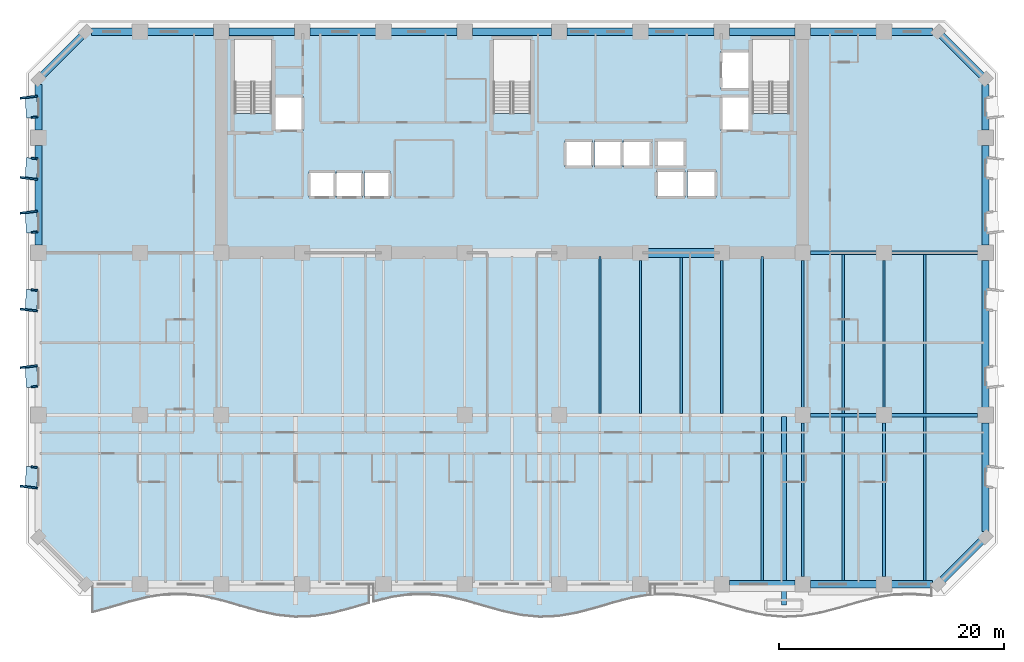
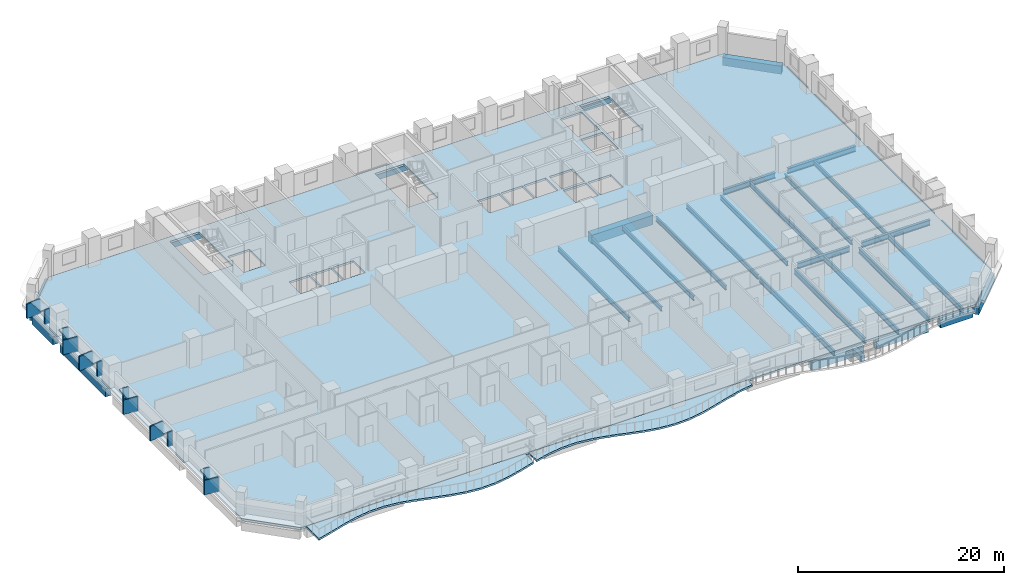
# One storey, part 2 of 15: 43 beams, 18 plates, 3 slabs.
"""IFC4 building model written with IfcOpenShell, lengths in metres."""

from ifc_helpers import new_model, si_unit, direction, frame, origin, origin_2d, place, context, subcontext, project, spatial, polyline, rectangle, i_section, outline, extrude, material, layer, layer_set, material_profile, profile_set, type_object, element, save


model = new_model("IFC4")

# Units and contexts
model_context = context("Model", 3, precision=1e-05, world=origin(), true_north=direction((0.0, 1.0)))
body_context = subcontext(model_context, "Body", "Model", "MODEL_VIEW")
ifc_project = project(units=[si_unit("LENGTHUNIT", "METRE"), si_unit("AREAUNIT", "SQUARE_METRE"), si_unit("VOLUMEUNIT", "CUBIC_METRE"), si_unit("PLANEANGLEUNIT", "RADIAN"), si_unit("MASSUNIT", "GRAM", prefix="KILO")], contexts=[model_context])

# Site, building, storey
site_placement = place(None, origin())
site = spatial("IfcSite", under=ifc_project, at=site_placement, CompositionType="ELEMENT")
building_placement = place(site_placement, origin())
building = spatial("IfcBuilding", under=site, at=building_placement, Name="Kaelvorn Grand Hotel", CompositionType="ELEMENT")
storey_placement = place(building_placement, frame((0.0, 0.0, 50.14990234375)))
storey = spatial("IfcBuildingStorey", under=building, at=storey_placement, Name="L10", CompositionType="ELEMENT", Elevation=50.14990234375)

# Beams
ifc_material_1 = material(Name="Steel S355", Category="steel")
ifc_material_profile_1 = material_profile(ifc_material_1, i_section(OverallWidth=0.300048828125, OverallDepth=0.64990234375, WebThickness=0.01611328125, FlangeThickness=0.031005859375, FilletRadius=0.027099609375, at=origin_2d()), Name="HEB 650")
ifc_profile_set_1 = profile_set([ifc_material_profile_1], Name="Steel S355")
beam_type_1 = type_object("IfcBeamType", Name="BM-G-HEB650-S355", PredefinedType="BEAM", material=ifc_profile_set_1)
beam_1_placement = place(storey_placement, frame((68.485107421875, 15.0, -0.56494140625), z_axis=(1.0, 0.0, 0.0), x_axis=(0.0, 1.0, 0.0)))
element("IfcBeam", 1, at=beam_1_placement, inside=storey, type_object=beam_type_1, Name="L10 Primary Spine Steel Girder G-15 06", PredefinedType="BEAM", context=body_context, shape_type="SweptSolid", body=[
    extrude(i_section(OverallWidth=0.300048828125, OverallDepth=0.64990234375, WebThickness=0.01611328125, FlangeThickness=0.031005859375, FilletRadius=0.027099609375, at=origin_2d()), origin(), (0.0, 0.0, 1.0), 5.829833984375),
])
beam_2_placement = place(storey_placement, frame((75.68505859375, 15.0, -0.56494140625), z_axis=(1.0, 0.0, 0.0), x_axis=(0.0, 1.0, 0.0)))
element("IfcBeam", 2, at=beam_2_placement, inside=storey, type_object=beam_type_1, Name="L10 Primary Spine Steel Girder G-15 07", PredefinedType="BEAM", context=body_context, shape_type="SweptSolid", body=[
    extrude(i_section(OverallWidth=0.300048828125, OverallDepth=0.64990234375, WebThickness=0.01611328125, FlangeThickness=0.031005859375, FilletRadius=0.027099609375, at=origin_2d()), origin(), (0.0, 0.0, 1.0), 7.6298828125),
])
beam_3_placement = place(storey_placement, frame((68.485107421875, 29.39990234375, -0.56494140625), z_axis=(1.0, 0.0, 0.0), x_axis=(0.0, 1.0, 0.0)))
element("IfcBeam", 3, at=beam_3_placement, inside=storey, type_object=beam_type_1, Name="L10 East Core Wing Steel Girder G-29E 01", PredefinedType="BEAM", context=body_context, shape_type="SweptSolid", body=[
    extrude(i_section(OverallWidth=0.300048828125, OverallDepth=0.64990234375, WebThickness=0.01611328125, FlangeThickness=0.031005859375, FilletRadius=0.027099609375, at=origin_2d()), origin(), (0.0, 0.0, 1.0), 5.829833984375),
])
beam_4_placement = place(storey_placement, frame((75.68505859375, 29.39990234375, -0.56494140625), z_axis=(1.0, 0.0, 0.0), x_axis=(0.0, 1.0, 0.0)))
element("IfcBeam", 4, at=beam_4_placement, inside=storey, type_object=beam_type_1, Name="L10 East Core Wing Steel Girder G-29E 02", PredefinedType="BEAM", context=body_context, shape_type="SweptSolid", body=[
    extrude(i_section(OverallWidth=0.300048828125, OverallDepth=0.64990234375, WebThickness=0.01611328125, FlangeThickness=0.031005859375, FilletRadius=0.027099609375, at=origin_2d()), origin(), (0.0, 0.0, 1.0), 7.6298828125),
])
ifc_material_profile_2 = material_profile(ifc_material_1, i_section(OverallWidth=0.209228515625, OverallDepth=0.533203125, WebThickness=0.010009765625, FlangeThickness=0.015625, FilletRadius=0.0126953125, at=origin_2d()), Name="UB 533x210x92")
ifc_profile_set_2 = profile_set([ifc_material_profile_2], Name="Steel S355")
beam_type_2 = type_object("IfcBeamType", Name="BM-J-UB533-S355", PredefinedType="JOIST", material=ifc_profile_set_2)
beam_5_placement = place(storey_placement, frame((49.800048828125, 15.135009765625, -0.50634765625), z_axis=(0.0, 1.0, 0.0), x_axis=(-1.0, 0.0, 0.0)))
element("IfcBeam", 5, at=beam_5_placement, inside=storey, type_object=beam_type_2, Name="L10 Composite Floor Joist JM-14", PredefinedType="JOIST", context=body_context, shape_type="SweptSolid", body=[
    extrude(i_section(OverallWidth=0.209228515625, OverallDepth=0.533203125, WebThickness=0.010009765625, FlangeThickness=0.015625, FilletRadius=0.0126953125, at=origin_2d()), origin(), (0.0, 0.0, 1.0), 13.925048828125),
])
beam_6_placement = place(storey_placement, frame((53.39990234375, 15.135009765625, -0.50634765625), z_axis=(0.0, 1.0, 0.0), x_axis=(-1.0, 0.0, 0.0)))
element("IfcBeam", 6, at=beam_6_placement, inside=storey, type_object=beam_type_2, Name="L10 Composite Floor Joist JM-15", PredefinedType="JOIST", context=body_context, shape_type="SweptSolid", body=[
    extrude(i_section(OverallWidth=0.209228515625, OverallDepth=0.533203125, WebThickness=0.010009765625, FlangeThickness=0.015625, FilletRadius=0.0126953125, at=origin_2d()), origin(), (0.0, 0.0, 1.0), 13.580078125),
])
beam_7_placement = place(storey_placement, frame((57.0, 15.135009765625, -0.50634765625), z_axis=(0.0, 1.0, 0.0), x_axis=(-1.0, 0.0, 0.0)))
element("IfcBeam", 7, at=beam_7_placement, inside=storey, type_object=beam_type_2, Name="L10 Composite Floor Joist JM-16", PredefinedType="JOIST", context=body_context, shape_type="SweptSolid", body=[
    extrude(i_section(OverallWidth=0.209228515625, OverallDepth=0.533203125, WebThickness=0.010009765625, FlangeThickness=0.015625, FilletRadius=0.0126953125, at=origin_2d()), origin(), (0.0, 0.0, 1.0), 13.925048828125),
])
beam_8_placement = place(storey_placement, frame((60.60009765625, 15.135009765625, -0.50634765625), z_axis=(0.0, 1.0, 0.0), x_axis=(-1.0, 0.0, 0.0)))
element("IfcBeam", 8, at=beam_8_placement, inside=storey, type_object=beam_type_2, Name="L10 Composite Floor Joist JM-17", PredefinedType="JOIST", context=body_context, shape_type="SweptSolid", body=[
    extrude(i_section(OverallWidth=0.209228515625, OverallDepth=0.533203125, WebThickness=0.010009765625, FlangeThickness=0.015625, FilletRadius=0.0126953125, at=origin_2d()), origin(), (0.0, 0.0, 1.0), 13.580078125),
])
beam_9_placement = place(storey_placement, frame((64.199951171875, 15.135009765625, -0.50634765625), z_axis=(0.0, 1.0, 0.0), x_axis=(-1.0, 0.0, 0.0)))
element("IfcBeam", 9, at=beam_9_placement, inside=storey, type_object=beam_type_2, Name="L10 Composite Floor Joist JM-18", PredefinedType="JOIST", context=body_context, shape_type="SweptSolid", body=[
    extrude(i_section(OverallWidth=0.209228515625, OverallDepth=0.533203125, WebThickness=0.010009765625, FlangeThickness=0.015625, FilletRadius=0.0126953125, at=origin_2d()), origin(), (0.0, 0.0, 1.0), 13.925048828125),
])
beam_10_placement = place(storey_placement, frame((67.800048828125, 15.68505859375, -0.50634765625), z_axis=(0.0, 1.0, 0.0), x_axis=(-1.0, 0.0, 0.0)))
element("IfcBeam", 10, at=beam_10_placement, inside=storey, type_object=beam_type_2, Name="L10 Composite Floor Joist JM-19", PredefinedType="JOIST", context=body_context, shape_type="SweptSolid", body=[
    extrude(i_section(OverallWidth=0.209228515625, OverallDepth=0.533203125, WebThickness=0.010009765625, FlangeThickness=0.015625, FilletRadius=0.0126953125, at=origin_2d()), origin(), (0.0, 0.0, 1.0), 13.030029296875),
])
beam_11_placement = place(storey_placement, frame((71.39990234375, 15.135009765625, -0.50634765625), z_axis=(0.0, 1.0, 0.0), x_axis=(-1.0, 0.0, 0.0)))
element("IfcBeam", 11, at=beam_11_placement, inside=storey, type_object=beam_type_2, Name="L10 Composite Floor Joist JM-20", PredefinedType="JOIST", context=body_context, shape_type="SweptSolid", body=[
    extrude(i_section(OverallWidth=0.209228515625, OverallDepth=0.533203125, WebThickness=0.010009765625, FlangeThickness=0.015625, FilletRadius=0.0126953125, at=origin_2d()), origin(), (0.0, 0.0, 1.0), 14.1298828125),
])
beam_12_placement = place(storey_placement, frame((75.0, 15.68505859375, -0.50634765625), z_axis=(0.0, 1.0, 0.0), x_axis=(-1.0, 0.0, 0.0)))
element("IfcBeam", 12, at=beam_12_placement, inside=storey, type_object=beam_type_2, Name="L10 Composite Floor Joist JM-21", PredefinedType="JOIST", context=body_context, shape_type="SweptSolid", body=[
    extrude(i_section(OverallWidth=0.209228515625, OverallDepth=0.533203125, WebThickness=0.010009765625, FlangeThickness=0.015625, FilletRadius=0.0126953125, at=origin_2d()), origin(), (0.0, 0.0, 1.0), 13.030029296875),
])
beam_13_placement = place(storey_placement, frame((78.60009765625, 15.135009765625, -0.50634765625), z_axis=(0.0, 1.0, 0.0), x_axis=(-1.0, 0.0, 0.0)))
element("IfcBeam", 13, at=beam_13_placement, inside=storey, type_object=beam_type_2, Name="L10 Composite Floor Joist JM-22", PredefinedType="JOIST", context=body_context, shape_type="SweptSolid", body=[
    extrude(i_section(OverallWidth=0.209228515625, OverallDepth=0.533203125, WebThickness=0.010009765625, FlangeThickness=0.015625, FilletRadius=0.0126953125, at=origin_2d()), origin(), (0.0, 0.0, 1.0), 14.1298828125),
])
ifc_material_profile_3 = material_profile(ifc_material_1, i_section(OverallWidth=0.22900390625, OverallDepth=0.6123046875, WebThickness=0.011962890625, FlangeThickness=0.01953125, FilletRadius=0.0126953125, at=origin_2d()), Name="UB 610x229x125")
ifc_profile_set_3 = profile_set([ifc_material_profile_3], Name="Steel S355")
beam_type_3 = type_object("IfcBeamType", Name="BM-J-UB610-S355", PredefinedType="JOIST", material=ifc_profile_set_3)
beam_14_placement = place(storey_placement, frame((64.199951171875, 0.31005859375, -0.5458984375), z_axis=(0.0, 1.0, 0.0), x_axis=(-1.0, 0.0, 0.0)))
element("IfcBeam", 14, at=beam_14_placement, inside=storey, type_object=beam_type_3, Name="L10 Composite Floor Joist JS-18", PredefinedType="JOIST", context=body_context, shape_type="SweptSolid", body=[
    extrude(i_section(OverallWidth=0.22900390625, OverallDepth=0.6123046875, WebThickness=0.011962890625, FlangeThickness=0.01953125, FilletRadius=0.0126953125, at=origin_2d()), origin(), (0.0, 0.0, 1.0), 14.554931640625),
])
beam_15_placement = place(storey_placement, frame((67.800048828125, 0.68505859375, -0.5458984375), z_axis=(0.0, 1.0, 0.0), x_axis=(-1.0, 0.0, 0.0)))
element("IfcBeam", 15, at=beam_15_placement, inside=storey, type_object=beam_type_3, Name="L10 Composite Floor Joist JS-19", PredefinedType="JOIST", context=body_context, shape_type="SweptSolid", body=[
    extrude(i_section(OverallWidth=0.22900390625, OverallDepth=0.6123046875, WebThickness=0.011962890625, FlangeThickness=0.01953125, FilletRadius=0.0126953125, at=origin_2d()), origin(), (0.0, 0.0, 1.0), 13.6298828125),
])
beam_16_placement = place(storey_placement, frame((71.39990234375, 0.31005859375, -0.5458984375), z_axis=(0.0, 1.0, 0.0), x_axis=(-1.0, 0.0, 0.0)))
element("IfcBeam", 16, at=beam_16_placement, inside=storey, type_object=beam_type_3, Name="L10 Composite Floor Joist JS-20", PredefinedType="JOIST", context=body_context, shape_type="SweptSolid", body=[
    extrude(i_section(OverallWidth=0.22900390625, OverallDepth=0.6123046875, WebThickness=0.011962890625, FlangeThickness=0.01953125, FilletRadius=0.0126953125, at=origin_2d()), origin(), (0.0, 0.0, 1.0), 14.554931640625),
])
beam_17_placement = place(storey_placement, frame((75.0, 0.68505859375, -0.5458984375), z_axis=(0.0, 1.0, 0.0), x_axis=(-1.0, 0.0, 0.0)))
element("IfcBeam", 17, at=beam_17_placement, inside=storey, type_object=beam_type_3, Name="L10 Composite Floor Joist JS-21", PredefinedType="JOIST", context=body_context, shape_type="SweptSolid", body=[
    extrude(i_section(OverallWidth=0.22900390625, OverallDepth=0.6123046875, WebThickness=0.011962890625, FlangeThickness=0.01953125, FilletRadius=0.0126953125, at=origin_2d()), origin(), (0.0, 0.0, 1.0), 13.6298828125),
])
beam_18_placement = place(storey_placement, frame((78.60009765625, 0.31005859375, -0.5458984375), z_axis=(0.0, 1.0, 0.0), x_axis=(-1.0, 0.0, 0.0)))
element("IfcBeam", 18, at=beam_18_placement, inside=storey, type_object=beam_type_3, Name="L10 Composite Floor Joist JS-22", PredefinedType="JOIST", context=body_context, shape_type="SweptSolid", body=[
    extrude(i_section(OverallWidth=0.22900390625, OverallDepth=0.6123046875, WebThickness=0.011962890625, FlangeThickness=0.01953125, FilletRadius=0.0126953125, at=origin_2d()), origin(), (0.0, 0.0, 1.0), 14.554931640625),
])
ifc_material_2 = material(Name="Concrete C60/75", Category="concrete")
ifc_material_profile_4 = material_profile(ifc_material_2, rectangle(XDim=0.800048828125, YDim=1.10009765625, at=origin_2d()), Name="RC LINTEL 800x1100")
ifc_profile_set_4 = profile_set([ifc_material_profile_4], Name="Concrete C60/75")
beam_type_4 = type_object("IfcBeamType", Name="BM-LIN-800x1100-C60", PredefinedType="LINTEL", material=ifc_profile_set_4)
beam_19_placement = place(storey_placement, frame((53.580078125, 29.39990234375, -0.789794921875), z_axis=(1.0, 0.0, 0.0), x_axis=(0.0, 1.0, 0.0)))
element("IfcBeam", 19, at=beam_19_placement, inside=storey, type_object=beam_type_4, Name="L10 Rear-Core Coupling Lintel Beam CB1-03", PredefinedType="LINTEL", context=body_context, shape_type="SweptSolid", body=[
    extrude(rectangle(XDim=0.800048828125, YDim=1.10009765625, at=origin_2d()), origin(), (0.0, 0.0, 1.0), 6.83984375),
])
ifc_material_3 = material(Name="Concrete C40/50", Category="concrete")
ifc_material_profile_5 = material_profile(ifc_material_3, rectangle(XDim=0.449951171875, YDim=0.64990234375, at=origin_2d()), Name="RC RIB 450x650")
ifc_profile_set_5 = profile_set([ifc_material_profile_5], Name="Concrete C40/50")
beam_type_5 = type_object("IfcBeamType", Name="BM-RIB-450x650-C40", PredefinedType="SPANDREL", material=ifc_profile_set_5)
beam_20_placement = place(storey_placement, frame((66.115478515625, -1.85009765625, -0.544921875), z_axis=(0.0, 1.0, 0.0), x_axis=(-1.0, 0.0, 0.0)))
element("IfcBeam", 20, at=beam_20_placement, inside=storey, type_object=beam_type_5, Name="L10 Cantilevered Balcony Back-Span Rib RB1-3", PredefinedType="SPANDREL", context=body_context, shape_type="SweptSolid", body=[
    extrude(rectangle(XDim=0.449951171875, YDim=0.64990234375, at=origin_2d()), origin(), (0.0, 0.0, 1.0), 16.715087890625),
])
ifc_material_profile_6 = material_profile(ifc_material_2, rectangle(XDim=0.64990234375, YDim=0.949951171875, at=origin_2d()), Name="RC SPANDREL 650x950")
ifc_profile_set_6 = profile_set([ifc_material_profile_6], Name="Concrete C60/75")
beam_type_6 = type_object("IfcBeamType", Name="BM-SP-650x950-C60", PredefinedType="SPANDREL", material=ifc_profile_set_6)
beam_21_placement = place(storey_placement, frame((61.284912109375, 0.0, -0.71484375), z_axis=(1.0, 0.0, 0.0), x_axis=(0.0, 1.0, 0.0)))
element("IfcBeam", 21, at=beam_21_placement, inside=storey, type_object=beam_type_6, Name="L10 South Perimeter Spandrel 09", PredefinedType="SPANDREL", context=body_context, shape_type="SweptSolid", body=[
    extrude(rectangle(XDim=0.64990234375, YDim=0.949951171875, at=origin_2d()), origin(), (0.0, 0.0, 1.0), 5.830078125),
])
beam_22_placement = place(storey_placement, frame((68.485107421875, 0.0, -0.71484375), z_axis=(1.0, 0.0, 0.0), x_axis=(0.0, 1.0, 0.0)))
element("IfcBeam", 22, at=beam_22_placement, inside=storey, type_object=beam_type_6, Name="L10 South Perimeter Spandrel 10", PredefinedType="SPANDREL", context=body_context, shape_type="SweptSolid", body=[
    extrude(rectangle(XDim=0.64990234375, YDim=0.949951171875, at=origin_2d()), origin(), (0.0, 0.0, 1.0), 5.829833984375),
])
for number, where, z_axis, x_axis, name in (
    (23, (75.68505859375, 0.0, -0.71484375), (1.0, 0.0, 0.0), (0.0, 1.0, 0.0), "L10 South Perimeter Spandrel 11"),
    (24, (4.68505859375, 49.0, -0.71484375), (1.0, 0.0, 0.0), (0.0, 1.0, 0.0), "L10 North Perimeter Spandrel 01"),
):
    element("IfcBeam", number, at=place(storey_placement, frame(where, z_axis=z_axis, x_axis=x_axis)), inside=storey, type_object=beam_type_6, Name=name, PredefinedType="SPANDREL", context=body_context, shape_type="SweptSolid", body=[
        extrude(rectangle(XDim=0.64990234375, YDim=0.949951171875, at=origin_2d()), origin(), (0.0, 0.0, 1.0), 3.6298828125),
    ])
beam_23_placement = place(storey_placement, frame((9.68505859375, 49.0, -0.71484375), z_axis=(1.0, 0.0, 0.0), x_axis=(0.0, 1.0, 0.0)))
element("IfcBeam", 25, at=beam_23_placement, inside=storey, type_object=beam_type_6, Name="L10 North Perimeter Spandrel 02", PredefinedType="SPANDREL", context=body_context, shape_type="SweptSolid", body=[
    extrude(rectangle(XDim=0.64990234375, YDim=0.949951171875, at=origin_2d()), origin(), (0.0, 0.0, 1.0), 5.829833984375),
])
for number, where, z_axis, x_axis, name in (
    (26, (16.885009765625, 49.0, -0.71484375), (1.0, 0.0, 0.0), (0.0, 1.0, 0.0), "L10 North Perimeter Spandrel 03"),
    (27, (24.0849609375, 49.0, -0.71484375), (1.0, 0.0, 0.0), (0.0, 1.0, 0.0), "L10 North Perimeter Spandrel 04"),
    (28, (31.284912109375, 49.0, -0.71484375), (1.0, 0.0, 0.0), (0.0, 1.0, 0.0), "L10 North Perimeter Spandrel 05"),
):
    element("IfcBeam", number, at=place(storey_placement, frame(where, z_axis=z_axis, x_axis=x_axis)), inside=storey, type_object=beam_type_6, Name=name, PredefinedType="SPANDREL", context=body_context, shape_type="SweptSolid", body=[
        extrude(rectangle(XDim=0.64990234375, YDim=0.949951171875, at=origin_2d()), origin(), (0.0, 0.0, 1.0), 5.830078125),
    ])
beam_24_placement = place(storey_placement, frame((38.485107421875, 49.0, -0.71484375), z_axis=(1.0, 0.0, 0.0), x_axis=(0.0, 1.0, 0.0)))
element("IfcBeam", 29, at=beam_24_placement, inside=storey, type_object=beam_type_6, Name="L10 North Perimeter Spandrel 06", PredefinedType="SPANDREL", context=body_context, shape_type="SweptSolid", body=[
    extrude(rectangle(XDim=0.64990234375, YDim=0.949951171875, at=origin_2d()), origin(), (0.0, 0.0, 1.0), 7.02978515625),
])
for number, where, z_axis, x_axis, name in (
    (30, (46.885009765625, 49.0, -0.71484375), (1.0, 0.0, 0.0), (0.0, 1.0, 0.0), "L10 North Perimeter Spandrel 07"),
    (31, (54.0849609375, 49.0, -0.71484375), (1.0, 0.0, 0.0), (0.0, 1.0, 0.0), "L10 North Perimeter Spandrel 08"),
    (32, (61.284912109375, 49.0, -0.71484375), (1.0, 0.0, 0.0), (0.0, 1.0, 0.0), "L10 North Perimeter Spandrel 09"),
):
    element("IfcBeam", number, at=place(storey_placement, frame(where, z_axis=z_axis, x_axis=x_axis)), inside=storey, type_object=beam_type_6, Name=name, PredefinedType="SPANDREL", context=body_context, shape_type="SweptSolid", body=[
        extrude(rectangle(XDim=0.64990234375, YDim=0.949951171875, at=origin_2d()), origin(), (0.0, 0.0, 1.0), 5.830078125),
    ])
beam_25_placement = place(storey_placement, frame((68.485107421875, 49.0, -0.71484375), z_axis=(1.0, 0.0, 0.0), x_axis=(0.0, 1.0, 0.0)))
element("IfcBeam", 33, at=beam_25_placement, inside=storey, type_object=beam_type_6, Name="L10 North Perimeter Spandrel 10", PredefinedType="SPANDREL", context=body_context, shape_type="SweptSolid", body=[
    extrude(rectangle(XDim=0.64990234375, YDim=0.949951171875, at=origin_2d()), origin(), (0.0, 0.0, 1.0), 5.829833984375),
])
beam_26_placement = place(storey_placement, frame((75.68505859375, 49.0, -0.71484375), z_axis=(1.0, 0.0, 0.0), x_axis=(0.0, 1.0, 0.0)))
element("IfcBeam", 34, at=beam_26_placement, inside=storey, type_object=beam_type_6, Name="L10 North Perimeter Spandrel 11", PredefinedType="SPANDREL", context=body_context, shape_type="SweptSolid", body=[
    extrude(rectangle(XDim=0.64990234375, YDim=0.949951171875, at=origin_2d()), origin(), (0.0, 0.0, 1.0), 3.6298828125),
])
beam_27_placement = place(storey_placement, frame((0.0, 30.0849609375, -0.71484375), z_axis=(0.0, 1.0, 0.0), x_axis=(-1.0, 0.0, 0.0)))
element("IfcBeam", 35, at=beam_27_placement, inside=storey, type_object=beam_type_6, Name="L10 West Perimeter Spandrel 03", PredefinedType="SPANDREL", context=body_context, shape_type="SweptSolid", body=[
    extrude(rectangle(XDim=0.64990234375, YDim=0.949951171875, at=origin_2d()), origin(), (0.0, 0.0, 1.0), 8.830078125),
])
beam_28_placement = place(storey_placement, frame((0.0, 40.284912109375, -0.71484375), z_axis=(0.0, 1.0, 0.0), x_axis=(-1.0, 0.0, 0.0)))
element("IfcBeam", 36, at=beam_28_placement, inside=storey, type_object=beam_type_6, Name="L10 West Perimeter Spandrel 04", PredefinedType="SPANDREL", context=body_context, shape_type="SweptSolid", body=[
    extrude(rectangle(XDim=0.64990234375, YDim=0.949951171875, at=origin_2d()), origin(), (0.0, 0.0, 1.0), 4.030029296875),
])
beam_29_placement = place(storey_placement, frame((84.0, 4.68505859375, -0.71484375), z_axis=(0.0, 1.0, 0.0), x_axis=(-1.0, 0.0, 0.0)))
element("IfcBeam", 37, at=beam_29_placement, inside=storey, type_object=beam_type_6, Name="L10 East Perimeter Spandrel 01", PredefinedType="SPANDREL", context=body_context, shape_type="SweptSolid", body=[
    extrude(rectangle(XDim=0.64990234375, YDim=0.949951171875, at=origin_2d()), origin(), (0.0, 0.0, 1.0), 9.6298828125),
])
beam_30_placement = place(storey_placement, frame((84.0, 15.68505859375, -0.71484375), z_axis=(0.0, 1.0, 0.0), x_axis=(-1.0, 0.0, 0.0)))
element("IfcBeam", 38, at=beam_30_placement, inside=storey, type_object=beam_type_6, Name="L10 East Perimeter Spandrel 02", PredefinedType="SPANDREL", context=body_context, shape_type="SweptSolid", body=[
    extrude(rectangle(XDim=0.64990234375, YDim=0.949951171875, at=origin_2d()), origin(), (0.0, 0.0, 1.0), 13.030029296875),
])
beam_31_placement = place(storey_placement, frame((84.0, 30.0849609375, -0.71484375), z_axis=(0.0, 1.0, 0.0), x_axis=(-1.0, 0.0, 0.0)))
element("IfcBeam", 39, at=beam_31_placement, inside=storey, type_object=beam_type_6, Name="L10 East Perimeter Spandrel 03", PredefinedType="SPANDREL", context=body_context, shape_type="SweptSolid", body=[
    extrude(rectangle(XDim=0.64990234375, YDim=0.949951171875, at=origin_2d()), origin(), (0.0, 0.0, 1.0), 8.830078125),
])
beam_32_placement = place(storey_placement, frame((84.0, 40.284912109375, -0.71484375), z_axis=(0.0, 1.0, 0.0), x_axis=(-1.0, 0.0, 0.0)))
element("IfcBeam", 40, at=beam_32_placement, inside=storey, type_object=beam_type_6, Name="L10 East Perimeter Spandrel 04", PredefinedType="SPANDREL", context=body_context, shape_type="SweptSolid", body=[
    extrude(rectangle(XDim=0.64990234375, YDim=0.949951171875, at=origin_2d()), origin(), (0.0, 0.0, 1.0), 4.030029296875),
])
for number, where, z_axis, x_axis, name in (
    (41, (79.800048828125, 0.0, -0.71484375), (0.707106781187, 0.707106781187, 0.0), (-0.707106781187, 0.707106781187, 0.0), "L10 Chamfer Spandrel Beam 1"),
    (42, (84.0, 44.800048828125, -0.71484375), (-0.707106781187, 0.707106781187, 0.0), (-0.707106781187, -0.707106781187, 0.0), "L10 Chamfer Spandrel Beam 2"),
    (43, (4.199951171875, 49.0, -0.71484375), (-0.707106781187, -0.707106781187, 0.0), (0.707106781187, -0.707106781187, 0.0), "L10 Chamfer Spandrel Beam 3"),
):
    element("IfcBeam", number, at=place(storey_placement, frame(where, z_axis=z_axis, x_axis=x_axis)), inside=storey, type_object=beam_type_6, Name=name, PredefinedType="SPANDREL", context=body_context, shape_type="SweptSolid", body=[
        extrude(rectangle(XDim=0.64990234375, YDim=0.949951171875, at=origin_2d()), origin(), (0.0, 0.0, 1.0), 5.939697265625),
    ])

# Plates
ifc_material_4 = material(Name="Precast concrete C45/55", Category="concrete")
ifc_layer_1 = layer(ifc_material_4, 0.159912109375)
ifc_layer_set_1 = layer_set([ifc_layer_1], Name="Precast concrete C45/55")
plate_type_1 = type_object("IfcPlateType", Name="PL-FRAME-DEEP-1550", PredefinedType="USERDEFINED", material=ifc_layer_set_1)
for number, where, z_axis, x_axis, name in (
    (44, (-0.864990234375, 8.610107421875, 0.68994140625), (0.0, 0.0, 1.0), (0.121869343405, 0.992546151641, 0.0), "L10 Tilted Precast Window Frame Fin L-W01"),
    (45, (-0.864990234375, 19.300048828125, 0.68994140625), (0.0, 0.0, 1.0), (-0.121869343405, 0.992546151641, 0.0), "L10 Tilted Precast Window Frame Fin R-W02"),
    (46, (-0.864990234375, 24.320068359375, 0.68994140625), (0.0, 0.0, 1.0), (0.121869343405, 0.992546151641, 0.0), "L10 Tilted Precast Window Frame Fin L-W03"),
    (47, (-0.864990234375, 33.0048828125, 0.68994140625), (0.0, 0.0, 1.0), (-0.121869343405, 0.992546151641, 0.0), "L10 Tilted Precast Window Frame Fin R-W04"),
    (48, (-0.864990234375, 35.9951171875, 0.68994140625), (0.0, 0.0, 1.0), (0.121869343405, 0.992546151641, 0.0), "L10 Tilted Precast Window Frame Fin L-W05"),
    (49, (-0.864990234375, 43.205078125, 0.68994140625), (0.0, 0.0, 1.0), (-0.121869343405, 0.992546151641, 0.0), "L10 Tilted Precast Window Frame Fin R-W06"),
):
    element("IfcPlate", number, at=place(storey_placement, frame(where, z_axis=z_axis, x_axis=x_axis)), inside=storey, type_object=plate_type_1, Name=name, ObjectType="FLANGE_PLATE", PredefinedType="USERDEFINED", context=body_context, shape_type="SweptSolid", body=[
        extrude(rectangle(XDim=0.159912109375, YDim=1.550048828125, at=origin_2d()), origin(), (0.0, 0.0, 1.0), 1.719970703125),
    ])
ifc_layer_2 = layer(ifc_material_4, 0.159912109375)
ifc_layer_set_2 = layer_set([ifc_layer_2], Name="Precast concrete C45/55")
plate_type_2 = type_object("IfcPlateType", Name="PL-FRAME-HEAD-1050", PredefinedType="USERDEFINED", material=ifc_layer_set_2)
for number, where, z_axis, x_axis, name in (
    (50, (-0.614990234375, 9.5, 2.25), (0.0, 0.0, 1.0), (0.054950179912, 0.998489097451, 0.0), "L10 Precast Window Frame Head Hood H-W01"),
    (51, (-0.614990234375, 18.409912109375, 2.25), (0.0, 0.0, 1.0), (-0.054950179912, 0.998489097451, 0.0), "L10 Precast Window Frame Head Hood H-W02"),
    (52, (-0.614990234375, 25.2099609375, 2.25), (0.0, 0.0, 1.0), (0.054950179912, 0.998489097451, 0.0), "L10 Precast Window Frame Head Hood H-W03"),
    (53, (-0.614990234375, 32.114990234375, 2.25), (0.0, 0.0, 1.0), (-0.054950179912, 0.998489097451, 0.0), "L10 Precast Window Frame Head Hood H-W04"),
    (54, (-0.614990234375, 36.885009765625, 2.25), (0.0, 0.0, 1.0), (0.054950179912, 0.998489097451, 0.0), "L10 Precast Window Frame Head Hood H-W05"),
    (55, (-0.614990234375, 42.31494140625, 2.25), (0.0, 0.0, 1.0), (-0.054950179912, 0.998489097451, 0.0), "L10 Precast Window Frame Head Hood H-W06"),
):
    element("IfcPlate", number, at=place(storey_placement, frame(where, z_axis=z_axis, x_axis=x_axis)), inside=storey, type_object=plate_type_2, Name=name, ObjectType="FLANGE_PLATE", PredefinedType="USERDEFINED", context=body_context, shape_type="SweptSolid", body=[
        extrude(rectangle(XDim=1.860107421875, YDim=1.050048828125, at=origin_2d()), origin(), (0.0, 0.0, 1.0), 0.159912109375),
    ])
ifc_layer_3 = layer(ifc_material_4, 0.159912109375)
ifc_layer_set_3 = layer_set([ifc_layer_3], Name="Precast concrete C45/55")
plate_type_3 = type_object("IfcPlateType", Name="PL-FRAME-SHAL-550", PredefinedType="USERDEFINED", material=ifc_layer_set_3)
for number, where, z_axis, x_axis, name in (
    (56, (-0.364990234375, 10.389892578125, 0.68994140625), (0.0, 0.0, 1.0), (0.121869343405, 0.992546151641, 0.0), "L10 Tilted Precast Window Frame Fin R-W01"),
    (57, (-0.364990234375, 17.52001953125, 0.68994140625), (0.0, 0.0, 1.0), (-0.121869343405, 0.992546151641, 0.0), "L10 Tilted Precast Window Frame Fin L-W02"),
    (58, (-0.364990234375, 26.10009765625, 0.68994140625), (0.0, 0.0, 1.0), (0.121869343405, 0.992546151641, 0.0), "L10 Tilted Precast Window Frame Fin R-W03"),
    (59, (-0.364990234375, 31.22509765625, 0.68994140625), (0.0, 0.0, 1.0), (-0.121869343405, 0.992546151641, 0.0), "L10 Tilted Precast Window Frame Fin L-W04"),
    (60, (-0.364990234375, 37.77490234375, 0.68994140625), (0.0, 0.0, 1.0), (0.121869343405, 0.992546151641, 0.0), "L10 Tilted Precast Window Frame Fin R-W05"),
    (61, (-0.364990234375, 41.425048828125, 0.68994140625), (0.0, 0.0, 1.0), (-0.121869343405, 0.992546151641, 0.0), "L10 Tilted Precast Window Frame Fin L-W06"),
):
    element("IfcPlate", number, at=place(storey_placement, frame(where, z_axis=z_axis, x_axis=x_axis)), inside=storey, type_object=plate_type_3, Name=name, ObjectType="FLANGE_PLATE", PredefinedType="USERDEFINED", context=body_context, shape_type="SweptSolid", body=[
        extrude(rectangle(XDim=0.159912109375, YDim=0.550048828125, at=origin_2d()), origin(), (0.0, 0.0, 1.0), 1.719970703125),
    ])

# Slabs
ifc_layer_4 = layer(ifc_material_3, 0.219970703125)
ifc_layer_set_4 = layer_set([ifc_layer_4], Name="Concrete C40/50")
slab_type_1 = type_object("IfcSlabType", Name="SLB-BALC-220-C40", PredefinedType="FLOOR", material=ifc_layer_set_4)
slab_1_placement = place(storey_placement, frame((0.0, 0.0, -0.219970703125)))
element("IfcSlab", 62, at=slab_1_placement, inside=storey, type_object=slab_type_1, Name="L10 Scalloped Wave Balcony Slab 1", PredefinedType="FLOOR", context=body_context, shape_type="SweptSolid", body=[
    extrude(outline(polyline([(4.800048828125, -2.4775390625), (6.435546875, -2.03076171875), (8.071044921875, -1.549560546875), (9.706787109375, -1.140380859375), (11.34228515625, -0.89453125), (12.977783203125, -0.866455078125), (14.61328125, -1.0625), (16.248779296875, -1.438720703125), (17.884521484375, -1.912109375), (19.52001953125, -2.377197265625), (21.155517578125, -2.730712890625), (22.791015625, -2.89404296875), (24.4267578125, -2.831298828125), (26.062255859375, -2.555908203125), (27.69775390625, -2.12939453125), (29.333251953125, -1.646240234375), (29.333251953125, 0.0), (4.800048828125, 0.0), (4.800048828125, -2.4775390625)])), origin(), (0.0, 0.0, 1.0), 0.219970703125),
])
slab_2_placement = place(storey_placement, frame((0.0, 0.0, -0.219970703125)))
element("IfcSlab", 63, at=slab_2_placement, inside=storey, type_object=slab_type_1, Name="L10 Scalloped Wave Balcony Slab 2", PredefinedType="FLOOR", context=body_context, shape_type="SweptSolid", body=[
    extrude(outline(polyline([(29.7333984375, -1.531982421875), (31.368896484375, -1.127685546875), (33.00439453125, -0.889404296875), (34.639892578125, -0.869873046875), (36.275634765625, -1.073974609375), (37.9111328125, -1.45556640625), (39.546630859375, -1.9306640625), (41.18212890625, -2.393310546875), (42.81787109375, -2.74072265625), (44.453369140625, -2.89599609375), (46.0888671875, -2.824462890625), (47.724365234375, -2.5419921875), (49.360107421875, -2.111328125), (50.99560546875, -1.62841796875), (52.631103515625, -1.199951171875), (54.2666015625, -0.921630859375), (54.2666015625, 0.0), (29.7333984375, 0.0), (29.7333984375, -1.531982421875)])), origin(), (0.0, 0.0, 1.0), 0.219970703125),
])
ifc_layer_5 = layer(ifc_material_3, 0.239990234375)
ifc_layer_set_5 = layer_set([ifc_layer_5], Name="Concrete C40/50")
slab_type_2 = type_object("IfcSlabType", Name="SLB-FLR-240-C40", PredefinedType="FLOOR", material=ifc_layer_set_5)
slab_3_placement = place(storey_placement, frame((0.0, 0.0, -0.239990234375)))
element("IfcSlab", 64, at=slab_3_placement, inside=storey, type_object=slab_type_2, Name="L10 Indoor Suspended Floor Slab", PredefinedType="FLOOR", context=body_context, shape_type="SweptSolid", body=[
    extrude(outline(polyline([(4.199951171875, 0.0), (79.800048828125, 0.0), (84.0, 4.199951171875), (84.0, 44.800048828125), (79.800048828125, 49.0), (4.199951171875, 49.0), (0.0, 44.800048828125), (0.0, 4.199951171875), (4.199951171875, 0.0)]), holes=[polyline([(17.39990234375, 41.760009765625), (17.39990234375, 48.300048828125), (20.679931640625, 48.300048828125), (20.679931640625, 41.760009765625), (17.39990234375, 41.760009765625)]), polyline([(40.360107421875, 41.760009765625), (40.360107421875, 48.300048828125), (43.639892578125, 48.300048828125), (43.639892578125, 41.760009765625), (40.360107421875, 41.760009765625)]), polyline([(63.320068359375, 41.760009765625), (63.320068359375, 48.300048828125), (66.60009765625, 48.300048828125), (66.60009765625, 41.760009765625), (63.320068359375, 41.760009765625)]), polyline([(24.0, 34.300048828125), (24.0, 36.60009765625), (26.300048828125, 36.60009765625), (26.300048828125, 34.300048828125), (24.0, 34.300048828125)]), polyline([(26.449951171875, 34.300048828125), (26.449951171875, 36.60009765625), (28.75, 36.60009765625), (28.75, 34.300048828125), (26.449951171875, 34.300048828125)]), polyline([(28.89990234375, 34.300048828125), (28.89990234375, 36.60009765625), (31.199951171875, 36.60009765625), (31.199951171875, 34.300048828125), (28.89990234375, 34.300048828125)]), polyline([(46.699951171875, 37.0), (46.699951171875, 39.35009765625), (49.14990234375, 39.35009765625), (49.14990234375, 37.0), (46.699951171875, 37.0)]), polyline([(49.300048828125, 37.0), (49.300048828125, 39.35009765625), (51.75, 39.35009765625), (51.75, 37.0), (49.300048828125, 37.0)]), polyline([(51.89990234375, 37.0), (51.89990234375, 39.35009765625), (54.35009765625, 39.35009765625), (54.35009765625, 37.0), (51.89990234375, 37.0)]), polyline([(54.800048828125, 34.300048828125), (54.800048828125, 36.699951171875), (57.35009765625, 36.699951171875), (57.35009765625, 34.300048828125), (54.800048828125, 34.300048828125)]), polyline([(57.550048828125, 34.300048828125), (57.550048828125, 36.699951171875), (60.10009765625, 36.699951171875), (60.10009765625, 34.300048828125), (57.550048828125, 34.300048828125)]), polyline([(54.800048828125, 37.0), (54.800048828125, 39.39990234375), (57.35009765625, 39.39990234375), (57.35009765625, 37.0), (54.800048828125, 37.0)]), polyline([(21.0, 40.199951171875), (21.0, 43.300048828125), (23.449951171875, 43.300048828125), (23.449951171875, 40.199951171875), (21.0, 40.199951171875)]), polyline([(60.550048828125, 40.199951171875), (60.550048828125, 43.300048828125), (63.0, 43.300048828125), (63.0, 40.199951171875), (60.550048828125, 40.199951171875)]), polyline([(60.550048828125, 43.89990234375), (60.550048828125, 47.300048828125), (63.0, 47.300048828125), (63.0, 43.89990234375), (60.550048828125, 43.89990234375)])]), origin(), (0.0, 0.0, 1.0), 0.239990234375),
])

save(model, "model.ifc")
